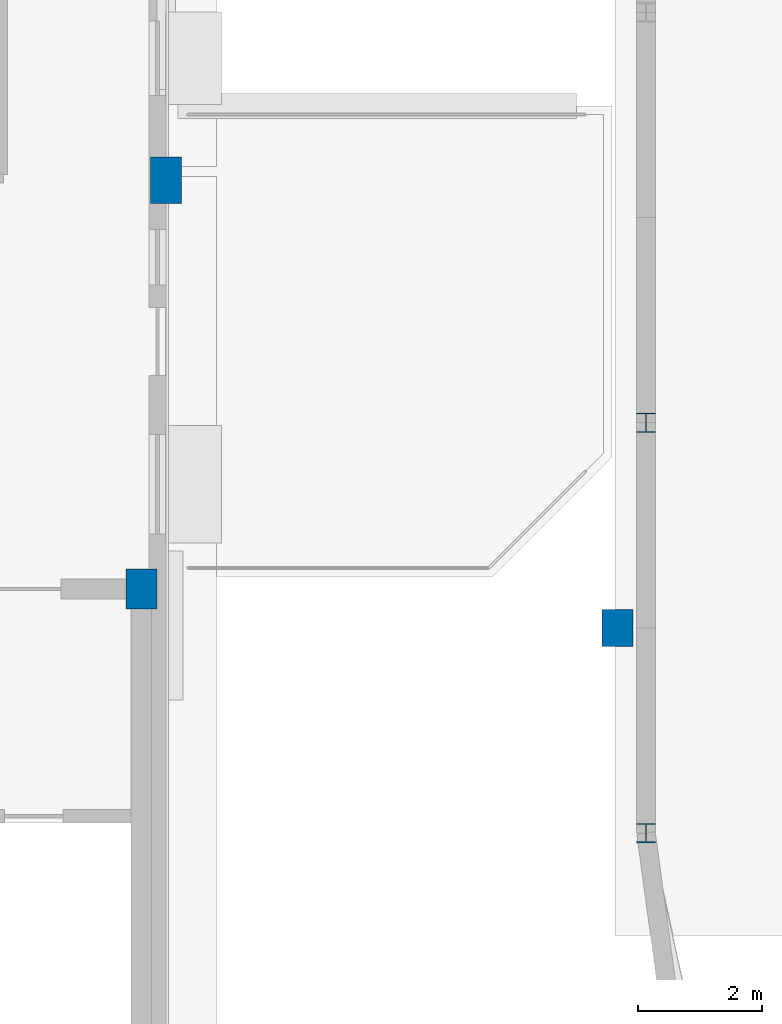
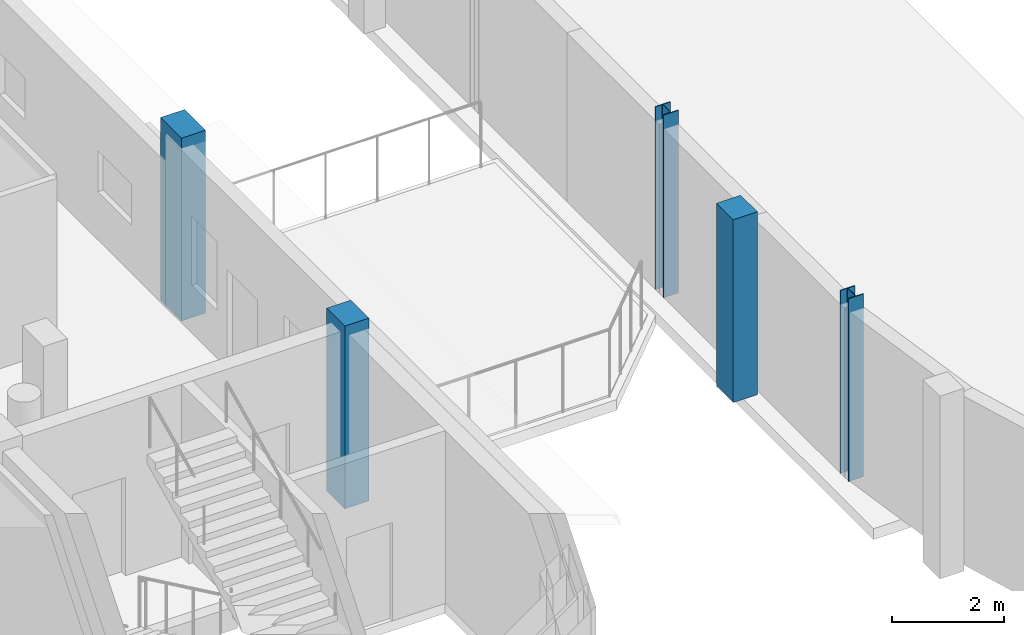
# One storey, part 8 of 89: 5 columns.
"""IFC4 building model written with IfcOpenShell, lengths in metres."""

from ifc_helpers import new_model, si_unit, direction, frame, origin, origin_2d, place, context, subcontext, project, spatial, rectangle, i_section, extrude, material, material_profile, profile_set, type_object, element, save


model = new_model("IFC4")

# Units and contexts
model_context = context("Model", 3, precision=1e-05, world=origin(), true_north=direction((0.0, 1.0)))
body_context = subcontext(model_context, "Body", "Model", "MODEL_VIEW")
ifc_project = project(units=[si_unit("LENGTHUNIT", "METRE"), si_unit("AREAUNIT", "SQUARE_METRE"), si_unit("VOLUMEUNIT", "CUBIC_METRE"), si_unit("PLANEANGLEUNIT", "RADIAN"), si_unit("MASSUNIT", "GRAM", prefix="KILO")], contexts=[model_context])

# Site, building, storey
site_placement = place(None, origin())
site = spatial("IfcSite", under=ifc_project, at=site_placement, CompositionType="ELEMENT")
building_placement = place(site_placement, origin())
building = spatial("IfcBuilding", under=site, at=building_placement, Name="Kelanivale Promenade Academy", CompositionType="ELEMENT")
storey_placement = place(building_placement, frame((0.0, 0.0, 12.199951171875)))
storey = spatial("IfcBuildingStorey", under=building, at=storey_placement, Name="L03", CompositionType="ELEMENT", Elevation=12.199951171875)

# Columns
ifc_material_1 = material(Name="Concrete C40/50", Category="concrete")
ifc_material_profile_1 = material_profile(ifc_material_1, rectangle(XDim=0.5, YDim=0.64990234375, at=origin_2d()), Name="RC-COL 500x650")
ifc_profile_set_1 = profile_set([ifc_material_profile_1], Name="Concrete C40/50")
column_type_1 = type_object("IfcColumnType", Name="C-11 RC-COL 500x650", PredefinedType="COLUMN", material=ifc_profile_set_1)
column_1_placement = place(storey_placement, frame((115.199951171875, 50.199951171875, 0.0), z_axis=(0.0, 0.0, 1.0), x_axis=(1.0, 0.0, 0.0)))
element("IfcColumn", 1, at=column_1_placement, inside=storey, type_object=column_type_1, Name="Column C-11 at (115.2, 50.2) L03", PredefinedType="COLUMN", context=body_context, shape_type="SweptSolid", body=[
    extrude(rectangle(XDim=0.5, YDim=0.64990234375, at=origin_2d()), origin(), (0.0, 0.0, 1.0), 4.0),
])
ifc_material_profile_2 = material_profile(ifc_material_1, rectangle(XDim=0.5, YDim=0.75, at=origin_2d()), Name="RC-COL 500x750")
ifc_profile_set_2 = profile_set([ifc_material_profile_2], Name="Concrete C40/50")
column_type_2 = type_object("IfcColumnType", Name="C-12 RC-COL 500x750", PredefinedType="COLUMN", material=ifc_profile_set_2)
column_2_placement = place(storey_placement, frame((115.60009765625, 56.800048828125, 0.0), z_axis=(0.0, 0.0, 1.0), x_axis=(1.0, 0.0, 0.0)))
element("IfcColumn", 2, at=column_2_placement, inside=storey, type_object=column_type_2, Name="Column C-12 at (115.6, 56.8) L03", PredefinedType="COLUMN", context=body_context, shape_type="SweptSolid", body=[
    extrude(rectangle(XDim=0.5, YDim=0.75, at=origin_2d()), origin(), (0.0, 0.0, 1.0), 4.0),
])
ifc_material_profile_3 = material_profile(ifc_material_1, rectangle(XDim=0.5, YDim=0.60009765625, at=origin_2d()), Name="RC-PIL 500x600")
ifc_profile_set_3 = profile_set([ifc_material_profile_3], Name="Concrete C40/50")
column_type_3 = type_object("IfcColumnType", Name="PL-18 RC-PIL 500x600", PredefinedType="PILASTER", material=ifc_profile_set_3)
column_3_placement = place(storey_placement, frame((122.889892578125, 49.571044921875, 0.0), z_axis=(0.0, 0.0, 1.0), x_axis=(1.0, 0.0, 0.0)))
element("IfcColumn", 3, at=column_3_placement, inside=storey, type_object=column_type_3, Name="Column PL-18 at (122.9, 49.6) L03", PredefinedType="PILASTER", context=body_context, shape_type="SweptSolid", body=[
    extrude(rectangle(XDim=0.5, YDim=0.60009765625, at=origin_2d()), origin(), (0.0, 0.0, 1.0), 4.0),
])
ifc_material_2 = material(Name="Steel S355", Category="steel")
ifc_material_profile_4 = material_profile(ifc_material_2, i_section(OverallWidth=0.307373046875, OverallDepth=0.314453125, WebThickness=0.011962890625, FlangeThickness=0.018798828125, FilletRadius=0.01513671875, at=origin_2d()), Name="UC 305x305x118")
ifc_profile_set_4 = profile_set([ifc_material_profile_4], Name="Steel S355")
column_type_4 = type_object("IfcColumnType", Name="SC-04 UC 305x305x118", PredefinedType="COLUMN", material=ifc_profile_set_4)
for number, where, z_axis, x_axis, name in (
    (4, (123.35009765625, 46.257080078125, 0.0), (0.0, 0.0, 1.0), (1.0, 0.0, 0.0), "Column SC-04 at (123.3, 46.3) L03"),
    (5, (123.35009765625, 52.885986328125, 0.0), (0.0, 0.0, 1.0), (1.0, 0.0, 0.0), "Column SC-04 at (123.3, 52.9) L03"),
):
    element("IfcColumn", number, at=place(storey_placement, frame(where, z_axis=z_axis, x_axis=x_axis)), inside=storey, type_object=column_type_4, Name=name, PredefinedType="COLUMN", context=body_context, shape_type="SweptSolid", body=[
        extrude(i_section(OverallWidth=0.307373046875, OverallDepth=0.314453125, WebThickness=0.011962890625, FlangeThickness=0.018798828125, FilletRadius=0.01513671875, at=origin_2d()), origin(), (0.0, 0.0, 1.0), 4.0),
    ])

save(model, "model.ifc")
